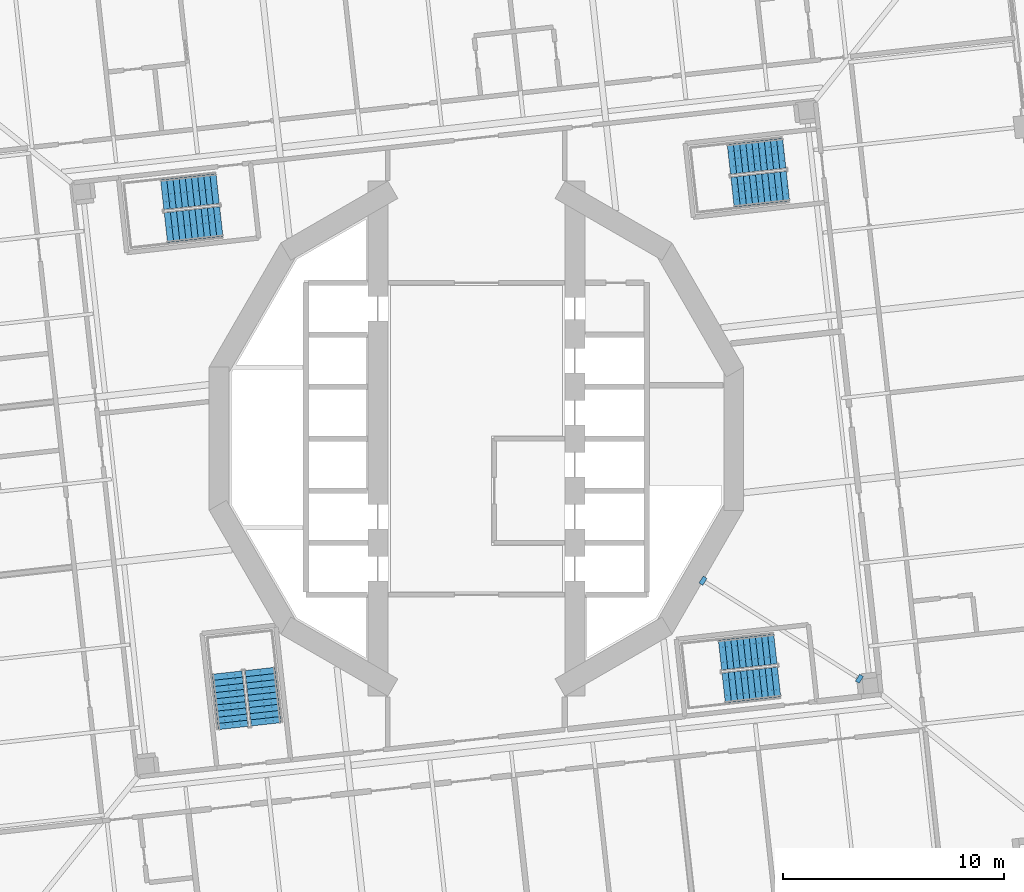
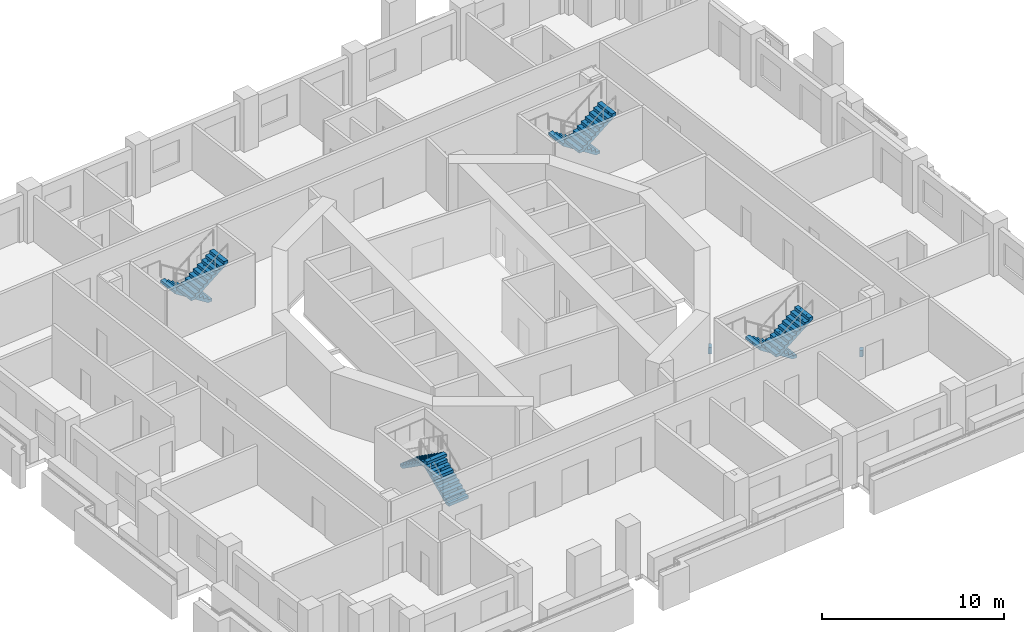
# One storey, part 10 of 18: 8 stair flights, 2 discrete accessories, 4 elements without a shape of their own.
"""IFC4 building model written with IfcOpenShell, lengths in metres."""

from ifc_helpers import new_model, si_unit, direction, frame, origin, place, context, subcontext, project, spatial, polyline, outline, extrude, material, layer, layer_set, type_object, element, aggregate, save


model = new_model("IFC4")

# Units and contexts
model_context = context("Model", 3, precision=1e-05, world=origin(), true_north=direction((0.0, 1.0)))
body_context = subcontext(model_context, "Body", "Model", "MODEL_VIEW")
ifc_project = project(units=[si_unit("LENGTHUNIT", "METRE"), si_unit("AREAUNIT", "SQUARE_METRE"), si_unit("VOLUMEUNIT", "CUBIC_METRE"), si_unit("PLANEANGLEUNIT", "RADIAN"), si_unit("MASSUNIT", "GRAM", prefix="KILO")], contexts=[model_context])

# Site, building, storey
site_placement = place(None, origin())
site = spatial("IfcSite", under=ifc_project, at=site_placement, CompositionType="ELEMENT")
building_placement = place(site_placement, origin())
building = spatial("IfcBuilding", under=site, at=building_placement, Name="Cantera Rosa Tower", CompositionType="ELEMENT")
storey_placement = place(building_placement, frame((0.0, 0.0, 76.699951171875)))
storey = spatial("IfcBuildingStorey", under=building, at=storey_placement, Name="L16", CompositionType="ELEMENT", Elevation=76.699951171875)

# Stair, stair flights
ifc_material_1 = material(Name="Concrete C35/45", Category="concrete")
stair_type = type_object("IfcStairType", Name="EXIT STAIR 1350 DOGLEG", PredefinedType="HALF_TURN_STAIR", material=ifc_material_1)
stair_1_placement = place(storey_placement, origin())
stair_1 = element("IfcStair", 1, at=stair_1_placement, inside=storey, type_object=stair_type, Name="L16 ST-11", PredefinedType="HALF_TURN_STAIR")
ifc_material_2 = material(Name="Concrete C35/45", Category="concrete")
stair_flight_type = type_object("IfcStairFlightType", Name="STAIR FLIGHT 1350 R20x190", PredefinedType="STRAIGHT", material=ifc_material_2)
stair_flight_1_placement = place(storey_placement, frame((13.90869140625, 12.89990234375, 0.0), z_axis=(0.0, 0.0, 1.0), x_axis=(-0.993896947056, -0.110312549749, 0.0)))
stair_flight_1 = element("IfcStairFlight", 2, at=stair_flight_1_placement, type_object=stair_flight_type, Name="ST-11 flight 1", NumberOfRisers=10, NumberOfTreads=9, PredefinedType="STRAIGHT", RiserHeight=0.19, TreadLength=0.28, context=body_context, shape_type="SweptSolid", body=[
    extrude(outline(polyline([(0.0, 0.0), (0.0, 0.18994140625), (0.280029296875, 0.18994140625), (0.280029296875, 0.3798828125), (0.56005859375, 0.3798828125), (0.56005859375, 0.570068359375), (0.840087890625, 0.570068359375), (0.840087890625, 0.760009765625), (1.1201171875, 0.760009765625), (1.1201171875, 0.949951171875), (1.39990234375, 0.949951171875), (1.39990234375, 1.139892578125), (1.679931640625, 1.139892578125), (1.679931640625, 1.330078125), (1.9599609375, 1.330078125), (1.9599609375, 1.52001953125), (2.239990234375, 1.52001953125), (2.239990234375, 1.7099609375), (2.52001953125, 1.7099609375), (2.52001953125, 1.89990234375), (2.52001953125, 1.52880859375), (0.266845703125, 0.0), (0.0, 0.0)])), frame((0.0, 0.675048828125, 0.0), z_axis=(0.0, -1.0, 0.0), x_axis=(1.0, 0.0, 0.0)), (0.0, 0.0, 1.0), 0.3359375),
    extrude(outline(polyline([(0.0, 0.0), (0.0, 0.18994140625), (0.280029296875, 0.18994140625), (0.280029296875, 0.3798828125), (0.56005859375, 0.3798828125), (0.56005859375, 0.570068359375), (0.840087890625, 0.570068359375), (0.840087890625, 0.760009765625), (1.1201171875, 0.760009765625), (1.1201171875, 0.949951171875), (1.39990234375, 0.949951171875), (1.39990234375, 1.139892578125), (1.679931640625, 1.139892578125), (1.679931640625, 1.330078125), (1.9599609375, 1.330078125), (1.9599609375, 1.52001953125), (2.239990234375, 1.52001953125), (2.239990234375, 1.7099609375), (2.52001953125, 1.7099609375), (2.52001953125, 1.89990234375), (2.52001953125, 1.52880859375), (0.266845703125, 0.0), (0.0, 0.0)])), frame((0.0, 0.337158203125, 0.0), z_axis=(0.0, -1.0, 0.0), x_axis=(1.0, 0.0, 0.0)), (0.0, 0.0, 1.0), 0.3359375),
    extrude(outline(polyline([(0.0, 0.0), (0.0, 0.18994140625), (0.280029296875, 0.18994140625), (0.280029296875, 0.3798828125), (0.56005859375, 0.3798828125), (0.56005859375, 0.570068359375), (0.840087890625, 0.570068359375), (0.840087890625, 0.760009765625), (1.1201171875, 0.760009765625), (1.1201171875, 0.949951171875), (1.39990234375, 0.949951171875), (1.39990234375, 1.139892578125), (1.679931640625, 1.139892578125), (1.679931640625, 1.330078125), (1.9599609375, 1.330078125), (1.9599609375, 1.52001953125), (2.239990234375, 1.52001953125), (2.239990234375, 1.7099609375), (2.52001953125, 1.7099609375), (2.52001953125, 1.89990234375), (2.52001953125, 1.52880859375), (0.266845703125, 0.0), (0.0, 0.0)])), frame((0.0, -0.000732421875, 0.0), z_axis=(0.0, -1.0, 0.0), x_axis=(1.0, 0.0, 0.0)), (0.0, 0.0, 1.0), 0.3359375),
    extrude(outline(polyline([(0.0, 0.0), (0.0, 0.18994140625), (0.280029296875, 0.18994140625), (0.280029296875, 0.3798828125), (0.56005859375, 0.3798828125), (0.56005859375, 0.570068359375), (0.840087890625, 0.570068359375), (0.840087890625, 0.760009765625), (1.1201171875, 0.760009765625), (1.1201171875, 0.949951171875), (1.39990234375, 0.949951171875), (1.39990234375, 1.139892578125), (1.679931640625, 1.139892578125), (1.679931640625, 1.330078125), (1.9599609375, 1.330078125), (1.9599609375, 1.52001953125), (2.239990234375, 1.52001953125), (2.239990234375, 1.7099609375), (2.52001953125, 1.7099609375), (2.52001953125, 1.89990234375), (2.52001953125, 1.52880859375), (0.266845703125, 0.0), (0.0, 0.0)])), frame((0.0, -0.338623046875, 0.0), z_axis=(0.0, -1.0, 0.0), x_axis=(1.0, 0.0, 0.0)), (0.0, 0.0, 1.0), 0.3359375),
])
stair_flight_2_placement = place(storey_placement, frame((11.569580078125, 11.131103515625, 1.900146484375), z_axis=(0.0, 0.0, 1.0), x_axis=(0.993896947056, 0.110312549749, 0.0)))
stair_flight_2 = element("IfcStairFlight", 3, at=stair_flight_2_placement, type_object=stair_flight_type, Name="ST-11 flight 2", NumberOfRisers=10, NumberOfTreads=9, PredefinedType="STRAIGHT", RiserHeight=0.19, TreadLength=0.28, context=body_context, shape_type="SweptSolid", body=[
    extrude(outline(polyline([(0.0, 0.0), (0.0, 0.18994140625), (0.280029296875, 0.18994140625), (0.280029296875, 0.3798828125), (0.56005859375, 0.3798828125), (0.56005859375, 0.570068359375), (0.840087890625, 0.570068359375), (0.840087890625, 0.760009765625), (1.1201171875, 0.760009765625), (1.1201171875, 0.949951171875), (1.39990234375, 0.949951171875), (1.39990234375, 1.139892578125), (1.679931640625, 1.139892578125), (1.679931640625, 1.330078125), (1.9599609375, 1.330078125), (1.9599609375, 1.52001953125), (2.239990234375, 1.52001953125), (2.239990234375, 1.7099609375), (2.52001953125, 1.7099609375), (2.52001953125, 1.89990234375), (2.52001953125, 1.52880859375), (0.266845703125, 0.0), (0.0, 0.0)])), frame((0.0, 0.675048828125, 0.0), z_axis=(0.0, -1.0, 0.0), x_axis=(1.0, 0.0, 0.0)), (0.0, 0.0, 1.0), 0.3359375),
    extrude(outline(polyline([(0.0, 0.0), (0.0, 0.18994140625), (0.280029296875, 0.18994140625), (0.280029296875, 0.3798828125), (0.56005859375, 0.3798828125), (0.56005859375, 0.570068359375), (0.840087890625, 0.570068359375), (0.840087890625, 0.760009765625), (1.1201171875, 0.760009765625), (1.1201171875, 0.949951171875), (1.39990234375, 0.949951171875), (1.39990234375, 1.139892578125), (1.679931640625, 1.139892578125), (1.679931640625, 1.330078125), (1.9599609375, 1.330078125), (1.9599609375, 1.52001953125), (2.239990234375, 1.52001953125), (2.239990234375, 1.7099609375), (2.52001953125, 1.7099609375), (2.52001953125, 1.89990234375), (2.52001953125, 1.52880859375), (0.266845703125, 0.0), (0.0, 0.0)])), frame((0.0, 0.337158203125, 0.0), z_axis=(0.0, -1.0, 0.0), x_axis=(1.0, 0.0, 0.0)), (0.0, 0.0, 1.0), 0.3359375),
    extrude(outline(polyline([(0.0, 0.0), (0.0, 0.18994140625), (0.280029296875, 0.18994140625), (0.280029296875, 0.3798828125), (0.56005859375, 0.3798828125), (0.56005859375, 0.570068359375), (0.840087890625, 0.570068359375), (0.840087890625, 0.760009765625), (1.1201171875, 0.760009765625), (1.1201171875, 0.949951171875), (1.39990234375, 0.949951171875), (1.39990234375, 1.139892578125), (1.679931640625, 1.139892578125), (1.679931640625, 1.330078125), (1.9599609375, 1.330078125), (1.9599609375, 1.52001953125), (2.239990234375, 1.52001953125), (2.239990234375, 1.7099609375), (2.52001953125, 1.7099609375), (2.52001953125, 1.89990234375), (2.52001953125, 1.52880859375), (0.266845703125, 0.0), (0.0, 0.0)])), frame((0.0, -0.000732421875, 0.0), z_axis=(0.0, -1.0, 0.0), x_axis=(1.0, 0.0, 0.0)), (0.0, 0.0, 1.0), 0.3359375),
    extrude(outline(polyline([(0.0, 0.0), (0.0, 0.18994140625), (0.280029296875, 0.18994140625), (0.280029296875, 0.3798828125), (0.56005859375, 0.3798828125), (0.56005859375, 0.570068359375), (0.840087890625, 0.570068359375), (0.840087890625, 0.760009765625), (1.1201171875, 0.760009765625), (1.1201171875, 0.949951171875), (1.39990234375, 0.949951171875), (1.39990234375, 1.139892578125), (1.679931640625, 1.139892578125), (1.679931640625, 1.330078125), (1.9599609375, 1.330078125), (1.9599609375, 1.52001953125), (2.239990234375, 1.52001953125), (2.239990234375, 1.7099609375), (2.52001953125, 1.7099609375), (2.52001953125, 1.89990234375), (2.52001953125, 1.52880859375), (0.266845703125, 0.0), (0.0, 0.0)])), frame((0.0, -0.338623046875, 0.0), z_axis=(0.0, -1.0, 0.0), x_axis=(1.0, 0.0, 0.0)), (0.0, 0.0, 1.0), 0.3359375),
])
aggregate(stair_1, [stair_flight_1, stair_flight_2])

stair_2_placement = place(storey_placement, origin())
stair_2 = element("IfcStair", 4, at=stair_2_placement, inside=storey, type_object=stair_type, Name="L16 ST-12", PredefinedType="HALF_TURN_STAIR")
stair_flight_3_placement = place(storey_placement, frame((-11.691162109375, 11.2998046875, 0.0), z_axis=(0.0, 0.0, 1.0), x_axis=(-0.993896947056, -0.110312549749, 0.0)))
stair_flight_3 = element("IfcStairFlight", 5, at=stair_flight_3_placement, type_object=stair_flight_type, Name="ST-12 flight 1", NumberOfRisers=10, NumberOfTreads=9, PredefinedType="STRAIGHT", RiserHeight=0.19, TreadLength=0.28, context=body_context, shape_type="SweptSolid", body=[
    extrude(outline(polyline([(0.0, 0.0), (0.0, 0.18994140625), (0.280029296875, 0.18994140625), (0.280029296875, 0.3798828125), (0.56005859375, 0.3798828125), (0.56005859375, 0.570068359375), (0.840087890625, 0.570068359375), (0.840087890625, 0.760009765625), (1.1201171875, 0.760009765625), (1.1201171875, 0.949951171875), (1.39990234375, 0.949951171875), (1.39990234375, 1.139892578125), (1.679931640625, 1.139892578125), (1.679931640625, 1.330078125), (1.9599609375, 1.330078125), (1.9599609375, 1.52001953125), (2.239990234375, 1.52001953125), (2.239990234375, 1.7099609375), (2.52001953125, 1.7099609375), (2.52001953125, 1.89990234375), (2.52001953125, 1.52880859375), (0.266845703125, 0.0), (0.0, 0.0)])), frame((0.0, 0.675048828125, 0.0), z_axis=(0.0, -1.0, 0.0), x_axis=(1.0, 0.0, 0.0)), (0.0, 0.0, 1.0), 0.3359375),
    extrude(outline(polyline([(0.0, 0.0), (0.0, 0.18994140625), (0.280029296875, 0.18994140625), (0.280029296875, 0.3798828125), (0.56005859375, 0.3798828125), (0.56005859375, 0.570068359375), (0.840087890625, 0.570068359375), (0.840087890625, 0.760009765625), (1.1201171875, 0.760009765625), (1.1201171875, 0.949951171875), (1.39990234375, 0.949951171875), (1.39990234375, 1.139892578125), (1.679931640625, 1.139892578125), (1.679931640625, 1.330078125), (1.9599609375, 1.330078125), (1.9599609375, 1.52001953125), (2.239990234375, 1.52001953125), (2.239990234375, 1.7099609375), (2.52001953125, 1.7099609375), (2.52001953125, 1.89990234375), (2.52001953125, 1.52880859375), (0.266845703125, 0.0), (0.0, 0.0)])), frame((0.0, 0.337158203125, 0.0), z_axis=(0.0, -1.0, 0.0), x_axis=(1.0, 0.0, 0.0)), (0.0, 0.0, 1.0), 0.3359375),
    extrude(outline(polyline([(0.0, 0.0), (0.0, 0.18994140625), (0.280029296875, 0.18994140625), (0.280029296875, 0.3798828125), (0.56005859375, 0.3798828125), (0.56005859375, 0.570068359375), (0.840087890625, 0.570068359375), (0.840087890625, 0.760009765625), (1.1201171875, 0.760009765625), (1.1201171875, 0.949951171875), (1.39990234375, 0.949951171875), (1.39990234375, 1.139892578125), (1.679931640625, 1.139892578125), (1.679931640625, 1.330078125), (1.9599609375, 1.330078125), (1.9599609375, 1.52001953125), (2.239990234375, 1.52001953125), (2.239990234375, 1.7099609375), (2.52001953125, 1.7099609375), (2.52001953125, 1.89990234375), (2.52001953125, 1.52880859375), (0.266845703125, 0.0), (0.0, 0.0)])), frame((0.0, -0.000732421875, 0.0), z_axis=(0.0, -1.0, 0.0), x_axis=(1.0, 0.0, 0.0)), (0.0, 0.0, 1.0), 0.3359375),
    extrude(outline(polyline([(0.0, 0.0), (0.0, 0.18994140625), (0.280029296875, 0.18994140625), (0.280029296875, 0.3798828125), (0.56005859375, 0.3798828125), (0.56005859375, 0.570068359375), (0.840087890625, 0.570068359375), (0.840087890625, 0.760009765625), (1.1201171875, 0.760009765625), (1.1201171875, 0.949951171875), (1.39990234375, 0.949951171875), (1.39990234375, 1.139892578125), (1.679931640625, 1.139892578125), (1.679931640625, 1.330078125), (1.9599609375, 1.330078125), (1.9599609375, 1.52001953125), (2.239990234375, 1.52001953125), (2.239990234375, 1.7099609375), (2.52001953125, 1.7099609375), (2.52001953125, 1.89990234375), (2.52001953125, 1.52880859375), (0.266845703125, 0.0), (0.0, 0.0)])), frame((0.0, -0.338623046875, 0.0), z_axis=(0.0, -1.0, 0.0), x_axis=(1.0, 0.0, 0.0)), (0.0, 0.0, 1.0), 0.3359375),
])
stair_flight_4_placement = place(storey_placement, frame((-14.030517578125, 9.531005859375, 1.900146484375), z_axis=(0.0, 0.0, 1.0), x_axis=(0.993896947056, 0.110312549749, 0.0)))
stair_flight_4 = element("IfcStairFlight", 6, at=stair_flight_4_placement, type_object=stair_flight_type, Name="ST-12 flight 2", NumberOfRisers=10, NumberOfTreads=9, PredefinedType="STRAIGHT", RiserHeight=0.19, TreadLength=0.28, context=body_context, shape_type="SweptSolid", body=[
    extrude(outline(polyline([(0.0, 0.0), (0.0, 0.18994140625), (0.280029296875, 0.18994140625), (0.280029296875, 0.3798828125), (0.56005859375, 0.3798828125), (0.56005859375, 0.570068359375), (0.840087890625, 0.570068359375), (0.840087890625, 0.760009765625), (1.1201171875, 0.760009765625), (1.1201171875, 0.949951171875), (1.39990234375, 0.949951171875), (1.39990234375, 1.139892578125), (1.679931640625, 1.139892578125), (1.679931640625, 1.330078125), (1.9599609375, 1.330078125), (1.9599609375, 1.52001953125), (2.239990234375, 1.52001953125), (2.239990234375, 1.7099609375), (2.52001953125, 1.7099609375), (2.52001953125, 1.89990234375), (2.52001953125, 1.52880859375), (0.266845703125, 0.0), (0.0, 0.0)])), frame((0.0, 0.675048828125, 0.0), z_axis=(0.0, -1.0, 0.0), x_axis=(1.0, 0.0, 0.0)), (0.0, 0.0, 1.0), 0.3359375),
    extrude(outline(polyline([(0.0, 0.0), (0.0, 0.18994140625), (0.280029296875, 0.18994140625), (0.280029296875, 0.3798828125), (0.56005859375, 0.3798828125), (0.56005859375, 0.570068359375), (0.840087890625, 0.570068359375), (0.840087890625, 0.760009765625), (1.1201171875, 0.760009765625), (1.1201171875, 0.949951171875), (1.39990234375, 0.949951171875), (1.39990234375, 1.139892578125), (1.679931640625, 1.139892578125), (1.679931640625, 1.330078125), (1.9599609375, 1.330078125), (1.9599609375, 1.52001953125), (2.239990234375, 1.52001953125), (2.239990234375, 1.7099609375), (2.52001953125, 1.7099609375), (2.52001953125, 1.89990234375), (2.52001953125, 1.52880859375), (0.266845703125, 0.0), (0.0, 0.0)])), frame((0.0, 0.337158203125, 0.0), z_axis=(0.0, -1.0, 0.0), x_axis=(1.0, 0.0, 0.0)), (0.0, 0.0, 1.0), 0.3359375),
    extrude(outline(polyline([(0.0, 0.0), (0.0, 0.18994140625), (0.280029296875, 0.18994140625), (0.280029296875, 0.3798828125), (0.56005859375, 0.3798828125), (0.56005859375, 0.570068359375), (0.840087890625, 0.570068359375), (0.840087890625, 0.760009765625), (1.1201171875, 0.760009765625), (1.1201171875, 0.949951171875), (1.39990234375, 0.949951171875), (1.39990234375, 1.139892578125), (1.679931640625, 1.139892578125), (1.679931640625, 1.330078125), (1.9599609375, 1.330078125), (1.9599609375, 1.52001953125), (2.239990234375, 1.52001953125), (2.239990234375, 1.7099609375), (2.52001953125, 1.7099609375), (2.52001953125, 1.89990234375), (2.52001953125, 1.52880859375), (0.266845703125, 0.0), (0.0, 0.0)])), frame((0.0, -0.000732421875, 0.0), z_axis=(0.0, -1.0, 0.0), x_axis=(1.0, 0.0, 0.0)), (0.0, 0.0, 1.0), 0.3359375),
    extrude(outline(polyline([(0.0, 0.0), (0.0, 0.18994140625), (0.280029296875, 0.18994140625), (0.280029296875, 0.3798828125), (0.56005859375, 0.3798828125), (0.56005859375, 0.570068359375), (0.840087890625, 0.570068359375), (0.840087890625, 0.760009765625), (1.1201171875, 0.760009765625), (1.1201171875, 0.949951171875), (1.39990234375, 0.949951171875), (1.39990234375, 1.139892578125), (1.679931640625, 1.139892578125), (1.679931640625, 1.330078125), (1.9599609375, 1.330078125), (1.9599609375, 1.52001953125), (2.239990234375, 1.52001953125), (2.239990234375, 1.7099609375), (2.52001953125, 1.7099609375), (2.52001953125, 1.89990234375), (2.52001953125, 1.52880859375), (0.266845703125, 0.0), (0.0, 0.0)])), frame((0.0, -0.338623046875, 0.0), z_axis=(0.0, -1.0, 0.0), x_axis=(1.0, 0.0, 0.0)), (0.0, 0.0, 1.0), 0.3359375),
])
aggregate(stair_2, [stair_flight_3, stair_flight_4])

stair_3_placement = place(storey_placement, origin())
stair_3 = element("IfcStair", 7, at=stair_3_placement, inside=storey, type_object=stair_type, Name="L16 ST-13", PredefinedType="HALF_TURN_STAIR")
stair_flight_5_placement = place(storey_placement, frame((-9.500244140625, -12.90869140625, 0.0), z_axis=(0.0, 0.0, 1.0), x_axis=(-0.110312549749, 0.993896947056, 0.0)))
stair_flight_5 = element("IfcStairFlight", 8, at=stair_flight_5_placement, type_object=stair_flight_type, Name="ST-13 flight 1", NumberOfRisers=10, NumberOfTreads=9, PredefinedType="STRAIGHT", RiserHeight=0.19, TreadLength=0.28, context=body_context, shape_type="SweptSolid", body=[
    extrude(outline(polyline([(0.0, 0.0), (0.0, 0.18994140625), (0.280029296875, 0.18994140625), (0.280029296875, 0.3798828125), (0.56005859375, 0.3798828125), (0.56005859375, 0.570068359375), (0.840087890625, 0.570068359375), (0.840087890625, 0.760009765625), (1.1201171875, 0.760009765625), (1.1201171875, 0.949951171875), (1.39990234375, 0.949951171875), (1.39990234375, 1.139892578125), (1.679931640625, 1.139892578125), (1.679931640625, 1.330078125), (1.9599609375, 1.330078125), (1.9599609375, 1.52001953125), (2.239990234375, 1.52001953125), (2.239990234375, 1.7099609375), (2.52001953125, 1.7099609375), (2.52001953125, 1.89990234375), (2.52001953125, 1.52880859375), (0.266845703125, 0.0), (0.0, 0.0)])), frame((0.0, 0.675048828125, 0.0), z_axis=(0.0, -1.0, 0.0), x_axis=(1.0, 0.0, 0.0)), (0.0, 0.0, 1.0), 0.3359375),
    extrude(outline(polyline([(0.0, 0.0), (0.0, 0.18994140625), (0.280029296875, 0.18994140625), (0.280029296875, 0.3798828125), (0.56005859375, 0.3798828125), (0.56005859375, 0.570068359375), (0.840087890625, 0.570068359375), (0.840087890625, 0.760009765625), (1.1201171875, 0.760009765625), (1.1201171875, 0.949951171875), (1.39990234375, 0.949951171875), (1.39990234375, 1.139892578125), (1.679931640625, 1.139892578125), (1.679931640625, 1.330078125), (1.9599609375, 1.330078125), (1.9599609375, 1.52001953125), (2.239990234375, 1.52001953125), (2.239990234375, 1.7099609375), (2.52001953125, 1.7099609375), (2.52001953125, 1.89990234375), (2.52001953125, 1.52880859375), (0.266845703125, 0.0), (0.0, 0.0)])), frame((0.0, 0.337158203125, 0.0), z_axis=(0.0, -1.0, 0.0), x_axis=(1.0, 0.0, 0.0)), (0.0, 0.0, 1.0), 0.3359375),
    extrude(outline(polyline([(0.0, 0.0), (0.0, 0.18994140625), (0.280029296875, 0.18994140625), (0.280029296875, 0.3798828125), (0.56005859375, 0.3798828125), (0.56005859375, 0.570068359375), (0.840087890625, 0.570068359375), (0.840087890625, 0.760009765625), (1.1201171875, 0.760009765625), (1.1201171875, 0.949951171875), (1.39990234375, 0.949951171875), (1.39990234375, 1.139892578125), (1.679931640625, 1.139892578125), (1.679931640625, 1.330078125), (1.9599609375, 1.330078125), (1.9599609375, 1.52001953125), (2.239990234375, 1.52001953125), (2.239990234375, 1.7099609375), (2.52001953125, 1.7099609375), (2.52001953125, 1.89990234375), (2.52001953125, 1.52880859375), (0.266845703125, 0.0), (0.0, 0.0)])), frame((0.0, -0.000732421875, 0.0), z_axis=(0.0, -1.0, 0.0), x_axis=(1.0, 0.0, 0.0)), (0.0, 0.0, 1.0), 0.3359375),
    extrude(outline(polyline([(0.0, 0.0), (0.0, 0.18994140625), (0.280029296875, 0.18994140625), (0.280029296875, 0.3798828125), (0.56005859375, 0.3798828125), (0.56005859375, 0.570068359375), (0.840087890625, 0.570068359375), (0.840087890625, 0.760009765625), (1.1201171875, 0.760009765625), (1.1201171875, 0.949951171875), (1.39990234375, 0.949951171875), (1.39990234375, 1.139892578125), (1.679931640625, 1.139892578125), (1.679931640625, 1.330078125), (1.9599609375, 1.330078125), (1.9599609375, 1.52001953125), (2.239990234375, 1.52001953125), (2.239990234375, 1.7099609375), (2.52001953125, 1.7099609375), (2.52001953125, 1.89990234375), (2.52001953125, 1.52880859375), (0.266845703125, 0.0), (0.0, 0.0)])), frame((0.0, -0.338623046875, 0.0), z_axis=(0.0, -1.0, 0.0), x_axis=(1.0, 0.0, 0.0)), (0.0, 0.0, 1.0), 0.3359375),
])
stair_flight_6_placement = place(storey_placement, frame((-11.26904296875, -10.569580078125, 1.900146484375), z_axis=(0.0, 0.0, 1.0), x_axis=(0.110312549749, -0.993896947056, 0.0)))
stair_flight_6 = element("IfcStairFlight", 9, at=stair_flight_6_placement, type_object=stair_flight_type, Name="ST-13 flight 2", NumberOfRisers=10, NumberOfTreads=9, PredefinedType="STRAIGHT", RiserHeight=0.19, TreadLength=0.28, context=body_context, shape_type="SweptSolid", body=[
    extrude(outline(polyline([(0.0, 0.0), (0.0, 0.18994140625), (0.280029296875, 0.18994140625), (0.280029296875, 0.3798828125), (0.56005859375, 0.3798828125), (0.56005859375, 0.570068359375), (0.840087890625, 0.570068359375), (0.840087890625, 0.760009765625), (1.1201171875, 0.760009765625), (1.1201171875, 0.949951171875), (1.39990234375, 0.949951171875), (1.39990234375, 1.139892578125), (1.679931640625, 1.139892578125), (1.679931640625, 1.330078125), (1.9599609375, 1.330078125), (1.9599609375, 1.52001953125), (2.239990234375, 1.52001953125), (2.239990234375, 1.7099609375), (2.52001953125, 1.7099609375), (2.52001953125, 1.89990234375), (2.52001953125, 1.52880859375), (0.266845703125, 0.0), (0.0, 0.0)])), frame((0.0, 0.675048828125, 0.0), z_axis=(0.0, -1.0, 0.0), x_axis=(1.0, 0.0, 0.0)), (0.0, 0.0, 1.0), 0.3359375),
    extrude(outline(polyline([(0.0, 0.0), (0.0, 0.18994140625), (0.280029296875, 0.18994140625), (0.280029296875, 0.3798828125), (0.56005859375, 0.3798828125), (0.56005859375, 0.570068359375), (0.840087890625, 0.570068359375), (0.840087890625, 0.760009765625), (1.1201171875, 0.760009765625), (1.1201171875, 0.949951171875), (1.39990234375, 0.949951171875), (1.39990234375, 1.139892578125), (1.679931640625, 1.139892578125), (1.679931640625, 1.330078125), (1.9599609375, 1.330078125), (1.9599609375, 1.52001953125), (2.239990234375, 1.52001953125), (2.239990234375, 1.7099609375), (2.52001953125, 1.7099609375), (2.52001953125, 1.89990234375), (2.52001953125, 1.52880859375), (0.266845703125, 0.0), (0.0, 0.0)])), frame((0.0, 0.337158203125, 0.0), z_axis=(0.0, -1.0, 0.0), x_axis=(1.0, 0.0, 0.0)), (0.0, 0.0, 1.0), 0.3359375),
    extrude(outline(polyline([(0.0, 0.0), (0.0, 0.18994140625), (0.280029296875, 0.18994140625), (0.280029296875, 0.3798828125), (0.56005859375, 0.3798828125), (0.56005859375, 0.570068359375), (0.840087890625, 0.570068359375), (0.840087890625, 0.760009765625), (1.1201171875, 0.760009765625), (1.1201171875, 0.949951171875), (1.39990234375, 0.949951171875), (1.39990234375, 1.139892578125), (1.679931640625, 1.139892578125), (1.679931640625, 1.330078125), (1.9599609375, 1.330078125), (1.9599609375, 1.52001953125), (2.239990234375, 1.52001953125), (2.239990234375, 1.7099609375), (2.52001953125, 1.7099609375), (2.52001953125, 1.89990234375), (2.52001953125, 1.52880859375), (0.266845703125, 0.0), (0.0, 0.0)])), frame((0.0, -0.000732421875, 0.0), z_axis=(0.0, -1.0, 0.0), x_axis=(1.0, 0.0, 0.0)), (0.0, 0.0, 1.0), 0.3359375),
    extrude(outline(polyline([(0.0, 0.0), (0.0, 0.18994140625), (0.280029296875, 0.18994140625), (0.280029296875, 0.3798828125), (0.56005859375, 0.3798828125), (0.56005859375, 0.570068359375), (0.840087890625, 0.570068359375), (0.840087890625, 0.760009765625), (1.1201171875, 0.760009765625), (1.1201171875, 0.949951171875), (1.39990234375, 0.949951171875), (1.39990234375, 1.139892578125), (1.679931640625, 1.139892578125), (1.679931640625, 1.330078125), (1.9599609375, 1.330078125), (1.9599609375, 1.52001953125), (2.239990234375, 1.52001953125), (2.239990234375, 1.7099609375), (2.52001953125, 1.7099609375), (2.52001953125, 1.89990234375), (2.52001953125, 1.52880859375), (0.266845703125, 0.0), (0.0, 0.0)])), frame((0.0, -0.338623046875, 0.0), z_axis=(0.0, -1.0, 0.0), x_axis=(1.0, 0.0, 0.0)), (0.0, 0.0, 1.0), 0.3359375),
])
aggregate(stair_3, [stair_flight_5, stair_flight_6])

stair_4_placement = place(storey_placement, origin())
stair_4 = element("IfcStair", 10, at=stair_4_placement, inside=storey, type_object=stair_type, Name="L16 ST-14", PredefinedType="HALF_TURN_STAIR")
stair_flight_7_placement = place(storey_placement, frame((13.5087890625, -9.500244140625, 0.0), z_axis=(0.0, 0.0, 1.0), x_axis=(-0.993896947056, -0.110312549749, 0.0)))
stair_flight_7 = element("IfcStairFlight", 11, at=stair_flight_7_placement, type_object=stair_flight_type, Name="ST-14 flight 1", NumberOfRisers=10, NumberOfTreads=9, PredefinedType="STRAIGHT", RiserHeight=0.19, TreadLength=0.28, context=body_context, shape_type="SweptSolid", body=[
    extrude(outline(polyline([(0.0, 0.0), (0.0, 0.18994140625), (0.280029296875, 0.18994140625), (0.280029296875, 0.3798828125), (0.56005859375, 0.3798828125), (0.56005859375, 0.570068359375), (0.840087890625, 0.570068359375), (0.840087890625, 0.760009765625), (1.1201171875, 0.760009765625), (1.1201171875, 0.949951171875), (1.39990234375, 0.949951171875), (1.39990234375, 1.139892578125), (1.679931640625, 1.139892578125), (1.679931640625, 1.330078125), (1.9599609375, 1.330078125), (1.9599609375, 1.52001953125), (2.239990234375, 1.52001953125), (2.239990234375, 1.7099609375), (2.52001953125, 1.7099609375), (2.52001953125, 1.89990234375), (2.52001953125, 1.52880859375), (0.266845703125, 0.0), (0.0, 0.0)])), frame((0.0, 0.675048828125, 0.0), z_axis=(0.0, -1.0, 0.0), x_axis=(1.0, 0.0, 0.0)), (0.0, 0.0, 1.0), 0.3359375),
    extrude(outline(polyline([(0.0, 0.0), (0.0, 0.18994140625), (0.280029296875, 0.18994140625), (0.280029296875, 0.3798828125), (0.56005859375, 0.3798828125), (0.56005859375, 0.570068359375), (0.840087890625, 0.570068359375), (0.840087890625, 0.760009765625), (1.1201171875, 0.760009765625), (1.1201171875, 0.949951171875), (1.39990234375, 0.949951171875), (1.39990234375, 1.139892578125), (1.679931640625, 1.139892578125), (1.679931640625, 1.330078125), (1.9599609375, 1.330078125), (1.9599609375, 1.52001953125), (2.239990234375, 1.52001953125), (2.239990234375, 1.7099609375), (2.52001953125, 1.7099609375), (2.52001953125, 1.89990234375), (2.52001953125, 1.52880859375), (0.266845703125, 0.0), (0.0, 0.0)])), frame((0.0, 0.337158203125, 0.0), z_axis=(0.0, -1.0, 0.0), x_axis=(1.0, 0.0, 0.0)), (0.0, 0.0, 1.0), 0.3359375),
    extrude(outline(polyline([(0.0, 0.0), (0.0, 0.18994140625), (0.280029296875, 0.18994140625), (0.280029296875, 0.3798828125), (0.56005859375, 0.3798828125), (0.56005859375, 0.570068359375), (0.840087890625, 0.570068359375), (0.840087890625, 0.760009765625), (1.1201171875, 0.760009765625), (1.1201171875, 0.949951171875), (1.39990234375, 0.949951171875), (1.39990234375, 1.139892578125), (1.679931640625, 1.139892578125), (1.679931640625, 1.330078125), (1.9599609375, 1.330078125), (1.9599609375, 1.52001953125), (2.239990234375, 1.52001953125), (2.239990234375, 1.7099609375), (2.52001953125, 1.7099609375), (2.52001953125, 1.89990234375), (2.52001953125, 1.52880859375), (0.266845703125, 0.0), (0.0, 0.0)])), frame((0.0, -0.000732421875, 0.0), z_axis=(0.0, -1.0, 0.0), x_axis=(1.0, 0.0, 0.0)), (0.0, 0.0, 1.0), 0.3359375),
    extrude(outline(polyline([(0.0, 0.0), (0.0, 0.18994140625), (0.280029296875, 0.18994140625), (0.280029296875, 0.3798828125), (0.56005859375, 0.3798828125), (0.56005859375, 0.570068359375), (0.840087890625, 0.570068359375), (0.840087890625, 0.760009765625), (1.1201171875, 0.760009765625), (1.1201171875, 0.949951171875), (1.39990234375, 0.949951171875), (1.39990234375, 1.139892578125), (1.679931640625, 1.139892578125), (1.679931640625, 1.330078125), (1.9599609375, 1.330078125), (1.9599609375, 1.52001953125), (2.239990234375, 1.52001953125), (2.239990234375, 1.7099609375), (2.52001953125, 1.7099609375), (2.52001953125, 1.89990234375), (2.52001953125, 1.52880859375), (0.266845703125, 0.0), (0.0, 0.0)])), frame((0.0, -0.338623046875, 0.0), z_axis=(0.0, -1.0, 0.0), x_axis=(1.0, 0.0, 0.0)), (0.0, 0.0, 1.0), 0.3359375),
])
stair_flight_8_placement = place(storey_placement, frame((11.169677734375, -11.26904296875, 1.900146484375), z_axis=(0.0, 0.0, 1.0), x_axis=(0.993896947056, 0.110312549749, 0.0)))
stair_flight_8 = element("IfcStairFlight", 12, at=stair_flight_8_placement, type_object=stair_flight_type, Name="ST-14 flight 2", NumberOfRisers=10, NumberOfTreads=9, PredefinedType="STRAIGHT", RiserHeight=0.19, TreadLength=0.28, context=body_context, shape_type="SweptSolid", body=[
    extrude(outline(polyline([(0.0, 0.0), (0.0, 0.18994140625), (0.280029296875, 0.18994140625), (0.280029296875, 0.3798828125), (0.56005859375, 0.3798828125), (0.56005859375, 0.570068359375), (0.840087890625, 0.570068359375), (0.840087890625, 0.760009765625), (1.1201171875, 0.760009765625), (1.1201171875, 0.949951171875), (1.39990234375, 0.949951171875), (1.39990234375, 1.139892578125), (1.679931640625, 1.139892578125), (1.679931640625, 1.330078125), (1.9599609375, 1.330078125), (1.9599609375, 1.52001953125), (2.239990234375, 1.52001953125), (2.239990234375, 1.7099609375), (2.52001953125, 1.7099609375), (2.52001953125, 1.89990234375), (2.52001953125, 1.52880859375), (0.266845703125, 0.0), (0.0, 0.0)])), frame((0.0, 0.675048828125, 0.0), z_axis=(0.0, -1.0, 0.0), x_axis=(1.0, 0.0, 0.0)), (0.0, 0.0, 1.0), 0.3359375),
    extrude(outline(polyline([(0.0, 0.0), (0.0, 0.18994140625), (0.280029296875, 0.18994140625), (0.280029296875, 0.3798828125), (0.56005859375, 0.3798828125), (0.56005859375, 0.570068359375), (0.840087890625, 0.570068359375), (0.840087890625, 0.760009765625), (1.1201171875, 0.760009765625), (1.1201171875, 0.949951171875), (1.39990234375, 0.949951171875), (1.39990234375, 1.139892578125), (1.679931640625, 1.139892578125), (1.679931640625, 1.330078125), (1.9599609375, 1.330078125), (1.9599609375, 1.52001953125), (2.239990234375, 1.52001953125), (2.239990234375, 1.7099609375), (2.52001953125, 1.7099609375), (2.52001953125, 1.89990234375), (2.52001953125, 1.52880859375), (0.266845703125, 0.0), (0.0, 0.0)])), frame((0.0, 0.337158203125, 0.0), z_axis=(0.0, -1.0, 0.0), x_axis=(1.0, 0.0, 0.0)), (0.0, 0.0, 1.0), 0.3359375),
    extrude(outline(polyline([(0.0, 0.0), (0.0, 0.18994140625), (0.280029296875, 0.18994140625), (0.280029296875, 0.3798828125), (0.56005859375, 0.3798828125), (0.56005859375, 0.570068359375), (0.840087890625, 0.570068359375), (0.840087890625, 0.760009765625), (1.1201171875, 0.760009765625), (1.1201171875, 0.949951171875), (1.39990234375, 0.949951171875), (1.39990234375, 1.139892578125), (1.679931640625, 1.139892578125), (1.679931640625, 1.330078125), (1.9599609375, 1.330078125), (1.9599609375, 1.52001953125), (2.239990234375, 1.52001953125), (2.239990234375, 1.7099609375), (2.52001953125, 1.7099609375), (2.52001953125, 1.89990234375), (2.52001953125, 1.52880859375), (0.266845703125, 0.0), (0.0, 0.0)])), frame((0.0, -0.000732421875, 0.0), z_axis=(0.0, -1.0, 0.0), x_axis=(1.0, 0.0, 0.0)), (0.0, 0.0, 1.0), 0.3359375),
    extrude(outline(polyline([(0.0, 0.0), (0.0, 0.18994140625), (0.280029296875, 0.18994140625), (0.280029296875, 0.3798828125), (0.56005859375, 0.3798828125), (0.56005859375, 0.570068359375), (0.840087890625, 0.570068359375), (0.840087890625, 0.760009765625), (1.1201171875, 0.760009765625), (1.1201171875, 0.949951171875), (1.39990234375, 0.949951171875), (1.39990234375, 1.139892578125), (1.679931640625, 1.139892578125), (1.679931640625, 1.330078125), (1.9599609375, 1.330078125), (1.9599609375, 1.52001953125), (2.239990234375, 1.52001953125), (2.239990234375, 1.7099609375), (2.52001953125, 1.7099609375), (2.52001953125, 1.89990234375), (2.52001953125, 1.52880859375), (0.266845703125, 0.0), (0.0, 0.0)])), frame((0.0, -0.338623046875, 0.0), z_axis=(0.0, -1.0, 0.0), x_axis=(1.0, 0.0, 0.0)), (0.0, 0.0, 1.0), 0.3359375),
])
aggregate(stair_4, [stair_flight_7, stair_flight_8])

# Discrete accessories
ifc_material_3 = material(Name="Steel ASTM A992 (Fy 345 MPa)", Category="steel")
ifc_layer = layer(ifc_material_3, 0.0400390625)
ifc_layer_set = layer_set([ifc_layer], Name="STEEL BEARING PLATE 40")
discrete_accessory_type = type_object("IfcDiscreteAccessoryType", Name="STEEL BEARING PLATE 40", PredefinedType="ANCHORPLATE", material=ifc_layer_set)
discrete_accessory_1_placement = place(storey_placement, frame((0.0, 0.0, -0.72802734375)))
element("IfcDiscreteAccessory", 13, at=discrete_accessory_1_placement, inside=storey, type_object=discrete_accessory_type, Name="BEARING PLATE PG-Z1-01 end 1 L16", PredefinedType="ANCHORPLATE", context=body_context, shape_type="SweptSolid", body=[
    extrude(outline(polyline([(17.12060546875, -10.952392578125), (17.2900390625, -11.05859375), (17.484619140625, -10.74853515625), (17.315185546875, -10.642333984375), (17.12060546875, -10.952392578125)])), origin(), (0.0, 0.0, 1.0), 0.427978515625),
])
discrete_accessory_2_placement = place(storey_placement, frame((0.0, 0.0, -0.72802734375)))
element("IfcDiscreteAccessory", 14, at=discrete_accessory_2_placement, inside=storey, type_object=discrete_accessory_type, Name="BEARING PLATE PG-Z1-01 end 2 L16", PredefinedType="ANCHORPLATE", context=body_context, shape_type="SweptSolid", body=[
    extrude(outline(polyline([(10.41796875, -6.317138671875), (10.248291015625, -6.210693359375), (10.053955078125, -6.52099609375), (10.223388671875, -6.627197265625), (10.41796875, -6.317138671875)])), origin(), (0.0, 0.0, 1.0), 0.427978515625),
])

save(model, "model.ifc")
